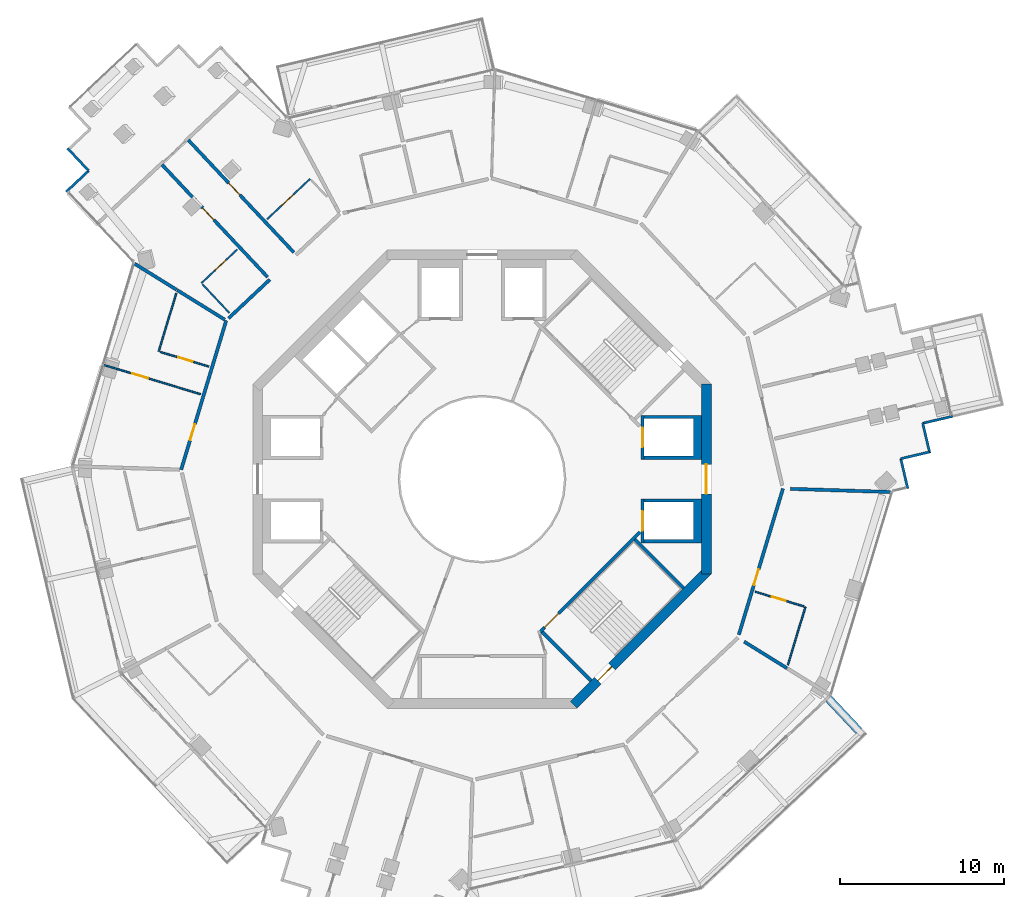
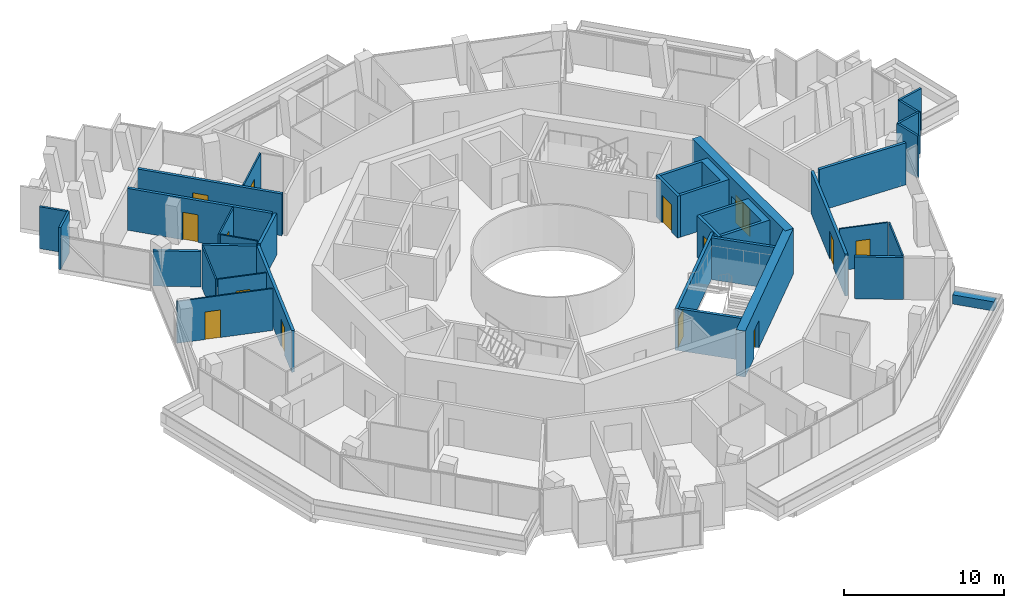
# One storey, part 18 of 24: 33 walls, 14 doors, 14 openings.
"""IFC4 building model written with IfcOpenShell, lengths in metres."""

from ifc_helpers import new_model, si_unit, direction, frame, frame_2d, origin, place, context, subcontext, project, spatial, polyline, rectangle, outline, extrude, material, layer, layer_set, type_object, element, fill, save


model = new_model("IFC4")

# Units and contexts
model_context = context("Model", 3, precision=1e-05, world=origin(), true_north=direction((0.0, 1.0)))
body_context = subcontext(model_context, "Body", "Model", "MODEL_VIEW")
ifc_project = project(units=[si_unit("LENGTHUNIT", "METRE"), si_unit("AREAUNIT", "SQUARE_METRE"), si_unit("VOLUMEUNIT", "CUBIC_METRE"), si_unit("PLANEANGLEUNIT", "RADIAN"), si_unit("MASSUNIT", "GRAM", prefix="KILO")], contexts=[model_context])

# Site, building, storey
site_placement = place(None, origin())
site = spatial("IfcSite", under=ifc_project, at=site_placement, CompositionType="ELEMENT")
building_placement = place(site_placement, origin())
building = spatial("IfcBuilding", under=site, at=building_placement, Name="Verdalira Terraces Hotel", CompositionType="ELEMENT")
storey_placement = place(building_placement, frame((0.0, 0.0, 209.0)))
storey = spatial("IfcBuildingStorey", under=building, at=storey_placement, Name="L51", CompositionType="ELEMENT", Elevation=209.0)

# Wall
ifc_material_1 = material(Name="Concrete C40", Category="concrete")
ifc_layer_1 = layer(ifc_material_1, 0.5)
ifc_layer_set_1 = layer_set([ifc_layer_1], Name="Balcony planter trough with tree")
wall_type_1 = type_object("IfcWallType", Name="Balcony planter trough with tree", PredefinedType="SOLIDWALL", material=ifc_layer_set_1)
wall_1_placement = place(storey_placement, frame((23.010254, -15.373291, 0.0), z_axis=(0.0, 0.0, 1.0), x_axis=(-0.684551685, 0.728964327, 0.0)))
element("IfcWall", 1, at=wall_1_placement, inside=storey, type_object=wall_type_1, Name="Balcony planter", PredefinedType="SOLIDWALL", context=body_context, shape_type="SweptSolid", body=[
    extrude(rectangle(XDim=2.698975, YDim=0.5, at=frame_2d((1.349609, 0.0))), origin(), (0.0, 0.0, 1.0), 0.699951),
])

# Wall, opening, door
ifc_material_2 = material(Name="Moisture-resistant gypsum board partition")
ifc_layer_2 = layer(ifc_material_2, 0.10009765625)
ifc_layer_set_2 = layer_set([ifc_layer_2], Name="Bathroom partition 100 mm")
wall_type_2 = type_object("IfcWallType", Name="Bathroom partition 100 mm", PredefinedType="PARTITIONING", material=ifc_layer_set_2)
wall_2_placement = place(storey_placement, frame((-23.079346, 6.968018, 0.0), z_axis=(0.0, 0.0, 1.0), x_axis=(0.957316727, -0.289040974, 0.0)))
wall_2 = element("IfcWall", 2, at=wall_2_placement, inside=storey, type_object=wall_type_2, Name="Bathroom partition", PredefinedType="PARTITIONING", context=body_context, shape_type="SweptSolid", body=[
    extrude(rectangle(XDim=6.149902, YDim=0.100098, at=frame_2d((3.074951, 0.0))), origin(), (0.0, 0.0, 1.0), 3.189941),
])
opening_1_placement = place(wall_2_placement, frame((1.800049, 0.0, 0.0)))
opening_1 = element("IfcOpeningElement", 3, at=opening_1_placement, cuts=wall_2, Name="Opening L51-106", PredefinedType="OPENING", context=body_context, shape_type="SweptSolid", body=[
    extrude(rectangle(XDim=1.0, YDim=2.100098, at=frame_2d((0.5, 1.050049))), frame((0.0, 0.060059, 0.0), z_axis=(0.0, -1.0, 0.0), x_axis=(1.0, 0.0, 0.0)), (0.0, 0.0, 1.0), 0.120117),
])
ifc_material_3 = material(Name="Timber door", Category="wood")
door_type_1 = type_object("IfcDoorType", Name="Suite internal door 1000 x 2100", OperationType="NOTDEFINED", PredefinedType="DOOR", material=ifc_material_3)
door_1_placement = place(opening_1_placement, origin())
door_1 = element("IfcDoor", 4, at=door_1_placement, inside=storey, type_object=door_type_1, Name="Suite internal door 5103", OperationType="SINGLE_SWING_LEFT", OverallHeight=2.10009765625, OverallWidth=1.0, PredefinedType="DOOR", context=body_context, shape_type="SweptSolid", body=[
    extrude(rectangle(XDim=1.0, YDim=2.100098, at=frame_2d((0.5, 1.050049))), frame((0.0, 0.024902, 0.0), z_axis=(0.0, -1.0, 0.0), x_axis=(1.0, 0.0, 0.0)), (0.0, 0.0, 1.0), 0.050049),
])
fill(opening_1, door_1)

# Wall
wall_3_placement = place(storey_placement, frame((-18.676514, 11.344482, 0.0), z_axis=(0.0, 0.0, 1.0), x_axis=(-0.289028527, -0.957320485, 0.0)))
element("IfcWall", 5, at=wall_3_placement, inside=storey, type_object=wall_type_2, Name="Bathroom partition", PredefinedType="PARTITIONING", context=body_context, shape_type="SweptSolid", body=[
    extrude(rectangle(XDim=3.704102, YDim=0.100098, at=frame_2d((1.852051, 0.0))), origin(), (0.0, 0.0, 1.0), 3.189941),
])

# Wall, opening, door
wall_4_placement = place(storey_placement, frame((-19.651367, 7.769775, 0.0), z_axis=(0.0, 0.0, 1.0), x_axis=(0.957321955, -0.289023657, 0.0)))
wall_4 = element("IfcWall", 6, at=wall_4_placement, inside=storey, type_object=wall_type_2, Name="Bathroom partition", PredefinedType="PARTITIONING", context=body_context, shape_type="SweptSolid", body=[
    extrude(rectangle(XDim=3.100098, YDim=0.100098, at=frame_2d((1.550049, 0.0))), origin(), (0.0, 0.0, 1.0), 3.189941),
])
opening_2_placement = place(wall_4_placement, frame((1.149902, 0.0, 0.0)))
opening_2 = element("IfcOpeningElement", 7, at=opening_2_placement, cuts=wall_4, Name="Opening L51-107", PredefinedType="OPENING", context=body_context, shape_type="SweptSolid", body=[
    extrude(rectangle(XDim=0.899902, YDim=2.100098, at=frame_2d((0.449951, 1.050049))), frame((0.0, 0.060059, 0.0), z_axis=(0.0, -1.0, 0.0), x_axis=(1.0, 0.0, 0.0)), (0.0, 0.0, 1.0), 0.120117),
])
ifc_material_4 = material(Name="Timber door", Category="wood")
door_type_2 = type_object("IfcDoorType", Name="Bathroom door 900 x 2100", OperationType="NOTDEFINED", PredefinedType="DOOR", material=ifc_material_4)
door_2_placement = place(opening_2_placement, origin())
door_2 = element("IfcDoor", 8, at=door_2_placement, inside=storey, type_object=door_type_2, Name="Bathroom door 5103", OperationType="SINGLE_SWING_LEFT", OverallHeight=2.10009765625, OverallWidth=0.89990234375, PredefinedType="DOOR", context=body_context, shape_type="SweptSolid", body=[
    extrude(rectangle(XDim=0.899902, YDim=2.100098, at=frame_2d((0.449951, 1.050049))), frame((0.0, 0.024902, 0.0), z_axis=(0.0, -1.0, 0.0), x_axis=(1.0, 0.0, 0.0)), (0.0, 0.0, 1.0), 0.050049),
])
fill(opening_2, door_2)

# Wall
wall_5_placement = place(storey_placement, frame((-15.427979, 10.147461, 0.0), z_axis=(0.0, 0.0, 1.0), x_axis=(-0.684529704, 0.728984969, 0.0)))
element("IfcWall", 9, at=wall_5_placement, inside=storey, type_object=wall_type_2, Name="Bathroom partition", PredefinedType="PARTITIONING", context=body_context, shape_type="SweptSolid", body=[
    extrude(rectangle(XDim=2.399902, YDim=0.100098, at=frame_2d((1.199951, 0.0))), origin(), (0.0, 0.0, 1.0), 3.189941),
])

# Wall, opening, door
wall_6_placement = place(storey_placement, frame((-14.952393, 14.023682, 0.0), z_axis=(0.0, 0.0, 1.0), x_axis=(-0.728973579, -0.684541833, 0.0)))
wall_6 = element("IfcWall", 10, at=wall_6_placement, inside=storey, type_object=wall_type_2, Name="Bathroom partition", PredefinedType="PARTITIONING", context=body_context, shape_type="SweptSolid", body=[
    extrude(rectangle(XDim=3.000244, YDim=0.100098, at=frame_2d((1.5, 0.0))), origin(), (0.0, 0.0, 1.0), 3.189941),
])
opening_3_placement = place(wall_6_placement, frame((0.949951, 0.0, 0.0)))
opening_3 = element("IfcOpeningElement", 11, at=opening_3_placement, cuts=wall_6, Name="Opening L51-104", PredefinedType="OPENING", context=body_context, shape_type="SweptSolid", body=[
    extrude(rectangle(XDim=0.899902, YDim=2.100098, at=frame_2d((0.449951, 1.050049))), frame((0.0, 0.060059, 0.0), z_axis=(0.0, -1.0, 0.0), x_axis=(1.0, 0.0, 0.0)), (0.0, 0.0, 1.0), 0.120117),
])
door_3_placement = place(opening_3_placement, origin())
door_3 = element("IfcDoor", 12, at=door_3_placement, inside=storey, type_object=door_type_2, Name="Bathroom door 5102", OperationType="SINGLE_SWING_RIGHT", OverallHeight=2.10009765625, OverallWidth=0.89990234375, PredefinedType="DOOR", context=body_context, shape_type="SweptSolid", body=[
    extrude(rectangle(XDim=0.899902, YDim=2.100098, at=frame_2d((0.449951, 1.050049))), frame((0.0, 0.024902, 0.0), z_axis=(0.0, -1.0, 0.0), x_axis=(1.0, 0.0, 0.0)), (0.0, 0.0, 1.0), 0.050049),
])
fill(opening_3, door_3)

wall_7_placement = place(storey_placement, frame((-10.501221, 18.34082, 0.0), z_axis=(0.0, 0.0, 1.0), x_axis=(-0.728934207, -0.684583758, 0.0)))
wall_7 = element("IfcWall", 13, at=wall_7_placement, inside=storey, type_object=wall_type_2, Name="Bathroom partition", PredefinedType="PARTITIONING", context=body_context, shape_type="SweptSolid", body=[
    extrude(rectangle(XDim=3.600098, YDim=0.100098, at=frame_2d((1.800049, 0.0))), origin(), (0.0, 0.0, 1.0), 3.189941),
])
opening_4_placement = place(wall_7_placement, frame((1.399902, 0.0, 0.0)))
opening_4 = element("IfcOpeningElement", 14, at=opening_4_placement, cuts=wall_7, Name="Opening L51-102", PredefinedType="OPENING", context=body_context, shape_type="SweptSolid", body=[
    extrude(rectangle(XDim=1.0, YDim=2.100098, at=frame_2d((0.5, 1.050049))), frame((0.0, 0.060059, 0.0), z_axis=(0.0, -1.0, 0.0), x_axis=(1.0, 0.0, 0.0)), (0.0, 0.0, 1.0), 0.120117),
])
ifc_material_5 = material(Name="Timber door", Category="wood")
door_type_3 = type_object("IfcDoorType", Name="Bathroom door 1000 x 2100", OperationType="NOTDEFINED", PredefinedType="DOOR", material=ifc_material_5)
door_4_placement = place(opening_4_placement, origin())
door_4 = element("IfcDoor", 15, at=door_4_placement, inside=storey, type_object=door_type_3, Name="Bathroom door 5101", OperationType="SINGLE_SWING_LEFT", OverallHeight=2.10009765625, OverallWidth=1.0, PredefinedType="DOOR", context=body_context, shape_type="SweptSolid", body=[
    extrude(rectangle(XDim=1.0, YDim=2.100098, at=frame_2d((0.5, 1.050049))), frame((0.0, 0.024902, 0.0), z_axis=(0.0, -1.0, 0.0), x_axis=(1.0, 0.0, 0.0)), (0.0, 0.0, 1.0), 0.050049),
])
fill(opening_4, door_4)

wall_8_placement = place(storey_placement, frame((19.651367, -7.769775, 0.0), z_axis=(0.0, 0.0, 1.0), x_axis=(-0.957321955, 0.289023657, 0.0)))
wall_8 = element("IfcWall", 16, at=wall_8_placement, inside=storey, type_object=wall_type_2, Name="Bathroom partition", PredefinedType="PARTITIONING", context=body_context, shape_type="SweptSolid", body=[
    extrude(rectangle(XDim=3.100098, YDim=0.100098, at=frame_2d((1.550049, 0.0))), origin(), (0.0, 0.0, 1.0), 3.189941),
])
opening_5_placement = place(wall_8_placement, frame((1.149902, 0.0, 0.0)))
opening_5 = element("IfcOpeningElement", 17, at=opening_5_placement, cuts=wall_8, Name="Opening L51-122", PredefinedType="OPENING", context=body_context, shape_type="SweptSolid", body=[
    extrude(rectangle(XDim=0.899902, YDim=2.100098, at=frame_2d((0.449951, 1.050049))), frame((0.0, 0.060059, 0.0), z_axis=(0.0, -1.0, 0.0), x_axis=(1.0, 0.0, 0.0)), (0.0, 0.0, 1.0), 0.120117),
])
door_5_placement = place(opening_5_placement, origin())
door_5 = element("IfcDoor", 18, at=door_5_placement, inside=storey, type_object=door_type_2, Name="Bathroom door 5109", OperationType="SINGLE_SWING_LEFT", OverallHeight=2.10009765625, OverallWidth=0.89990234375, PredefinedType="DOOR", context=body_context, shape_type="SweptSolid", body=[
    extrude(rectangle(XDim=0.899902, YDim=2.100098, at=frame_2d((0.449951, 1.050049))), frame((0.0, 0.024902, 0.0), z_axis=(0.0, -1.0, 0.0), x_axis=(1.0, 0.0, 0.0)), (0.0, 0.0, 1.0), 0.050049),
])
fill(opening_5, door_5)

# Walls
wall_9_placement = place(storey_placement, frame((19.74707, -7.798584, 0.0), z_axis=(0.0, 0.0, 1.0), x_axis=(-0.289028527, -0.957320485, 0.0)))
element("IfcWall", 19, at=wall_9_placement, inside=storey, type_object=wall_type_2, Name="Bathroom partition", PredefinedType="PARTITIONING", context=body_context, shape_type="SweptSolid", body=[
    extrude(rectangle(XDim=3.704102, YDim=0.100098, at=frame_2d((1.852051, 0.0))), origin(), (0.0, 0.0, 1.0), 3.189941),
])
ifc_material_6 = material(Name="Concrete C50", Category="concrete")
ifc_layer_3 = layer(ifc_material_6, 0.199951171875)
ifc_layer_set_3 = layer_set([ifc_layer_3], Name="Core RC wall 200 C50")
wall_type_3 = type_object("IfcWallType", Name="Core RC wall 200 C50", PredefinedType="SOLIDWALL", material=ifc_layer_set_3)
wall_10_placement = place(storey_placement, origin())
element("IfcWall", 20, at=wall_10_placement, inside=storey, type_object=wall_type_3, Name="L51 shaft wall E1", PredefinedType="SOLIDWALL", context=body_context, shape_type="SweptSolid", body=[
    extrude(outline(polyline([(13.399902, -3.899902), (9.899902, -3.899902), (9.899902, -3.699951), (12.899902, -3.699951), (12.899902, -1.399902), (9.899902, -1.399902), (9.899902, -1.199951), (13.399902, -1.199951), (13.399902, -3.899902)])), origin(), (0.0, 0.0, 1.0), 3.189941),
])

# Wall, opening, door
wall_11_placement = place(storey_placement, frame((9.800049, -1.199951, 0.0), z_axis=(0.0, 0.0, 1.0), x_axis=(0.0, -1.0, 0.0)))
wall_11 = element("IfcWall", 21, at=wall_11_placement, inside=storey, type_object=wall_type_3, Name="L51 shaft front wall E1", PredefinedType="SOLIDWALL", context=body_context, shape_type="SweptSolid", body=[
    extrude(rectangle(XDim=2.699951, YDim=0.199951, at=frame_2d((1.350098, 0.0))), origin(), (0.0, 0.0, 1.0), 3.189941),
])
opening_6_placement = place(wall_11_placement, frame((0.75, 0.0, 0.0)))
opening_6 = element("IfcOpeningElement", 22, at=opening_6_placement, cuts=wall_11, Name="Opening LD-L51-802", PredefinedType="OPENING", context=body_context, shape_type="SweptSolid", body=[
    extrude(rectangle(XDim=1.199951, YDim=2.100098, at=frame_2d((0.600098, 1.050049))), frame((0.0, 0.109863, 0.0), z_axis=(0.0, -1.0, 0.0), x_axis=(1.0, 0.0, 0.0)), (0.0, 0.0, 1.0), 0.219971),
])
ifc_material_7 = material(Name="Stainless steel", Category="steel")
door_type_4 = type_object("IfcDoorType", Name="Landing door 1200 x 2100", OperationType="NOTDEFINED", PredefinedType="DOOR", material=ifc_material_7)
door_6_placement = place(opening_6_placement, origin())
door_6 = element("IfcDoor", 23, at=door_6_placement, inside=storey, type_object=door_type_4, Name="Lift landing door HR1 L51", OperationType="DOUBLE_DOOR_SLIDING", OverallHeight=2.10009765625, OverallWidth=1.199951171875, PredefinedType="DOOR", context=body_context, shape_type="SweptSolid", body=[
    extrude(rectangle(XDim=1.199951, YDim=2.100098, at=frame_2d((0.600098, 1.050049))), frame((0.0, 0.024902, 0.0), z_axis=(0.0, -1.0, 0.0), x_axis=(1.0, 0.0, 0.0)), (0.0, 0.0, 1.0), 0.050049),
])
fill(opening_6, door_6)

# Wall
wall_12_placement = place(storey_placement, origin())
element("IfcWall", 24, at=wall_12_placement, inside=storey, type_object=wall_type_3, Name="L51 shaft wall E2", PredefinedType="SOLIDWALL", context=body_context, shape_type="SweptSolid", body=[
    extrude(outline(polyline([(13.399902, 3.899902), (13.399902, 1.199951), (9.899902, 1.199951), (9.899902, 1.399902), (12.899902, 1.399902), (12.899902, 3.699951), (9.899902, 3.699951), (9.899902, 3.899902), (13.399902, 3.899902)])), origin(), (0.0, 0.0, 1.0), 3.189941),
])

# Wall, opening, door
wall_13_placement = place(storey_placement, frame((9.800049, 1.199951, 0.0), z_axis=(0.0, 0.0, 1.0), x_axis=(0.0, 1.0, 0.0)))
wall_13 = element("IfcWall", 25, at=wall_13_placement, inside=storey, type_object=wall_type_3, Name="L51 shaft front wall E2", PredefinedType="SOLIDWALL", context=body_context, shape_type="SweptSolid", body=[
    extrude(rectangle(XDim=2.699951, YDim=0.199951, at=frame_2d((1.350098, 0.0))), origin(), (0.0, 0.0, 1.0), 3.189941),
])
opening_7_placement = place(wall_13_placement, frame((0.75, 0.0, 0.0)))
opening_7 = element("IfcOpeningElement", 26, at=opening_7_placement, cuts=wall_13, Name="Opening LD-L51-803", PredefinedType="OPENING", context=body_context, shape_type="SweptSolid", body=[
    extrude(rectangle(XDim=1.199951, YDim=2.100098, at=frame_2d((0.600098, 1.050049))), frame((0.0, 0.109863, 0.0), z_axis=(0.0, -1.0, 0.0), x_axis=(1.0, 0.0, 0.0)), (0.0, 0.0, 1.0), 0.219971),
])
door_7_placement = place(opening_7_placement, origin())
door_7 = element("IfcDoor", 27, at=door_7_placement, inside=storey, type_object=door_type_4, Name="Lift landing door HR2 L51", OperationType="DOUBLE_DOOR_SLIDING", OverallHeight=2.10009765625, OverallWidth=1.199951171875, PredefinedType="DOOR", context=body_context, shape_type="SweptSolid", body=[
    extrude(rectangle(XDim=1.199951, YDim=2.100098, at=frame_2d((0.600098, 1.050049))), frame((0.0, 0.024902, 0.0), z_axis=(0.0, -1.0, 0.0), x_axis=(1.0, 0.0, 0.0)), (0.0, 0.0, 1.0), 0.050049),
])
fill(opening_7, door_7)

wall_14_placement = place(storey_placement, frame((9.629395, -3.23999, 0.0), z_axis=(0.0, 0.0, 1.0), x_axis=(-0.707120946, -0.707092617, 0.0)))
wall_14 = element("IfcWall", 28, at=wall_14_placement, inside=storey, type_object=wall_type_3, Name="L51 stair ST3 front wall", PredefinedType="SOLIDWALL", context=body_context, shape_type="SweptSolid", body=[
    extrude(rectangle(XDim=8.61792, YDim=0.199951, at=frame_2d((4.309082, 0.0))), origin(), (0.0, 0.0, 1.0), 3.189941),
])
opening_8_placement = place(wall_14_placement, frame((7.017822, 0.0, 0.0)))
opening_8 = element("IfcOpeningElement", 29, at=opening_8_placement, cuts=wall_14, Name="Opening L51-812", PredefinedType="OPENING", context=body_context, shape_type="SweptSolid", body=[
    extrude(rectangle(XDim=1.199951, YDim=2.100098, at=frame_2d((0.600098, 1.050049))), frame((0.0, 0.109863, 0.0), z_axis=(0.0, -1.0, 0.0), x_axis=(1.0, 0.0, 0.0)), (0.0, 0.0, 1.0), 0.219971),
])
ifc_material_8 = material(Name="Steel fire door", Category="steel")
door_type_5 = type_object("IfcDoorType", Name="Stair door 1200 x 2100", OperationType="NOTDEFINED", PredefinedType="DOOR", material=ifc_material_8)
door_8_placement = place(opening_8_placement, origin())
door_8 = element("IfcDoor", 30, at=door_8_placement, inside=storey, type_object=door_type_5, Name="Stair door ST3 L51", OperationType="SINGLE_SWING_RIGHT", OverallHeight=2.10009765625, OverallWidth=1.199951171875, PredefinedType="DOOR", context=body_context, shape_type="SweptSolid", body=[
    extrude(rectangle(XDim=1.199951, YDim=2.100098, at=frame_2d((0.600098, 1.050049))), frame((0.0, 0.024902, 0.0), z_axis=(0.0, -1.0, 0.0), x_axis=(1.0, 0.0, 0.0)), (0.0, 0.0, 1.0), 0.050049),
])
fill(opening_8, door_8)

# Walls
for number, where, z_axis, x_axis, name in (
    (31, (3.677002, -9.33374, 0.0), (0.0, 0.0, 1.0), (0.707077716, -0.707135845, 0.0), "L51 stair ST3 end wall 1"),
    (32, (9.33374, -3.677002, 0.0), (0.0, 0.0, 1.0), (0.707135845, -0.707077716, 0.0), "L51 stair ST3 end wall 2"),
):
    element("IfcWall", number, at=place(storey_placement, frame(where, z_axis=z_axis, x_axis=x_axis)), inside=storey, type_object=wall_type_3, Name=name, PredefinedType="SOLIDWALL", context=body_context, shape_type="SweptSolid", body=[
        extrude(rectangle(XDim=4.199951, YDim=0.199951, at=frame_2d((2.100098, 0.0))), origin(), (0.0, 0.0, 1.0), 3.189941),
    ])

# Wall, opening, door
ifc_material_9 = material(Name="Concrete C60", Category="concrete")
ifc_layer_4 = layer(ifc_material_9, 0.60009765625)
ifc_layer_set_4 = layer_set([ifc_layer_4], Name="Core wall 600 C60")
wall_type_4 = type_object("IfcWallType", Name="Core wall 600 C60", PredefinedType="SHEAR", material=ifc_layer_set_4)
wall_15_placement = place(storey_placement, frame((13.699951, -5.799072, 0.0), z_axis=(0.0, 0.0, 1.0), x_axis=(0.0, 1.0, 0.0)))
wall_15 = element("IfcWall", 33, at=wall_15_placement, inside=storey, type_object=wall_type_4, Name="Core wall CW-L51-1", PredefinedType="SHEAR", context=body_context, shape_type="SweptSolid", body=[
    extrude(rectangle(XDim=11.598145, YDim=0.600098, at=frame_2d((5.799072, 0.0))), origin(), (0.0, 0.0, 1.0), 3.5),
])
opening_9_placement = place(wall_15_placement, frame((4.898926, 0.0, 0.0)))
opening_9 = element("IfcOpeningElement", 34, at=opening_9_placement, cuts=wall_15, Name="Opening L51-813", PredefinedType="OPENING", context=body_context, shape_type="SweptSolid", body=[
    extrude(rectangle(XDim=1.800049, YDim=2.100098, at=frame_2d((0.899902, 1.050049))), frame((0.0, 0.310059, 0.0), z_axis=(0.0, -1.0, 0.0), x_axis=(1.0, 0.0, 0.0)), (0.0, 0.0, 1.0), 0.620117),
])
ifc_material_10 = material(Name="Steel fire door", Category="steel")
door_type_6 = type_object("IfcDoorType", Name="Core entry door pair 1800 x 2100", OperationType="NOTDEFINED", PredefinedType="DOOR", material=ifc_material_10)
door_9_placement = place(opening_9_placement, origin())
door_9 = element("IfcDoor", 35, at=door_9_placement, inside=storey, type_object=door_type_6, Name="Core entry door L51 0", OperationType="DOUBLE_DOOR_SINGLE_SWING", OverallHeight=2.10009765625, OverallWidth=1.800048828125, PredefinedType="DOOR", context=body_context, shape_type="SweptSolid", body=[
    extrude(rectangle(XDim=1.800049, YDim=2.100098, at=frame_2d((0.899902, 1.050049))), frame((0.0, 0.024902, 0.0), z_axis=(0.0, -1.0, 0.0), x_axis=(1.0, 0.0, 0.0)), (0.0, 0.0, 1.0), 0.050049),
])
fill(opening_9, door_9)

wall_16_placement = place(storey_placement, frame((5.586914, -13.787842, 0.0), z_axis=(0.0, 0.0, 1.0), x_axis=(0.707106781, 0.707106781, 0.0)))
wall_16 = element("IfcWall", 36, at=wall_16_placement, inside=storey, type_object=wall_type_4, Name="Core wall CW-L51-8", PredefinedType="SHEAR", context=body_context, shape_type="SweptSolid", body=[
    extrude(rectangle(XDim=11.5979, YDim=0.600098, at=frame_2d((5.798828, 0.0))), origin(), (0.0, 0.0, 1.0), 3.5),
])
opening_10_placement = place(wall_16_placement, frame((2.099121, 0.0, 0.0)))
opening_10 = element("IfcOpeningElement", 37, at=opening_10_placement, cuts=wall_16, Name="Opening L51-818", PredefinedType="OPENING", context=body_context, shape_type="SweptSolid", body=[
    extrude(rectangle(XDim=1.199951, YDim=2.100098, at=frame_2d((0.600098, 1.050049))), frame((0.0, 0.310059, 0.0), z_axis=(0.0, -1.0, 0.0), x_axis=(1.0, 0.0, 0.0)), (0.0, 0.0, 1.0), 0.620117),
])
door_10_placement = place(opening_10_placement, origin())
door_10 = element("IfcDoor", 38, at=door_10_placement, inside=storey, type_object=door_type_5, Name="Stair exit door ST3 L51", OperationType="SINGLE_SWING_LEFT", OverallHeight=2.10009765625, OverallWidth=1.199951171875, PredefinedType="DOOR", context=body_context, shape_type="SweptSolid", body=[
    extrude(rectangle(XDim=1.199951, YDim=2.100098, at=frame_2d((0.600098, 1.050049))), frame((0.0, 0.024902, 0.0), z_axis=(0.0, -1.0, 0.0), x_axis=(1.0, 0.0, 0.0)), (0.0, 0.0, 1.0), 0.050049),
])
fill(opening_10, door_10)

# Walls
ifc_material_11 = material(Name="Fire-rated gypsum board wall")
ifc_layer_5 = layer(ifc_material_11, 0.199951171875)
ifc_layer_set_5 = layer_set([ifc_layer_5], Name="Demising wall 200 mm")
wall_type_5 = type_object("IfcWallType", Name="Demising wall 200 mm", PredefinedType="SOLIDWALL", material=ifc_layer_set_5)
wall_17_placement = place(storey_placement, frame((-15.713135, 9.742432, 0.0), z_axis=(0.0, 0.0, 1.0), x_axis=(-0.849870706, 0.526991255, 0.0)))
element("IfcWall", 39, at=wall_17_placement, inside=storey, type_object=wall_type_5, Name="Demising wall", PredefinedType="SOLIDWALL", context=body_context, shape_type="SweptSolid", body=[
    extrude(rectangle(XDim=3.418457, YDim=0.199951, at=frame_2d((1.709229, 0.0))), origin(), (0.0, 0.0, 1.0), 3.189941),
])
wall_18_placement = place(storey_placement, frame((16.005127, -9.923584, 0.0), z_axis=(0.0, 0.0, 1.0), x_axis=(0.849884201, -0.526969492, 0.0)))
element("IfcWall", 40, at=wall_18_placement, inside=storey, type_object=wall_type_5, Name="Demising wall", PredefinedType="SOLIDWALL", context=body_context, shape_type="SweptSolid", body=[
    extrude(rectangle(XDim=3.074951, YDim=0.199951, at=frame_2d((1.537598, 0.0))), origin(), (0.0, 0.0, 1.0), 3.189941),
])
wall_19_placement = place(storey_placement, frame((24.951904, -0.78418, 0.0), z_axis=(0.0, 0.0, 1.0), x_axis=(-0.999506506, 0.031412493, 0.0)))
element("IfcWall", 41, at=wall_19_placement, inside=storey, type_object=wall_type_5, Name="Demising wall", PredefinedType="SOLIDWALL", context=body_context, shape_type="SweptSolid", body=[
    extrude(rectangle(XDim=6.13208, YDim=0.199951, at=frame_2d((3.065918, 0.0))), origin(), (0.0, 0.0, 1.0), 3.189941),
])
ifc_material_12 = material(Name="Fire-rated gypsum board wall")
ifc_layer_6 = layer(ifc_material_12, 0.199951171875)
ifc_layer_set_6 = layer_set([ifc_layer_6], Name="Demising wall 200 mm to beam soffit")
wall_type_6 = type_object("IfcWallType", Name="Demising wall 200 mm to beam soffit", PredefinedType="SOLIDWALL", material=ifc_layer_set_6)
wall_20_placement = place(storey_placement, frame((-18.657471, 11.568115, 0.0), z_axis=(0.0, 0.0, 1.0), x_axis=(-0.849883085, 0.526971292, 0.0)))
element("IfcWall", 42, at=wall_20_placement, inside=storey, type_object=wall_type_6, Name="Demising wall", PredefinedType="SOLIDWALL", context=body_context, shape_type="SweptSolid", body=[
    extrude(rectangle(XDim=3.011475, YDim=0.199951, at=frame_2d((1.505859, 0.0))), origin(), (0.0, 0.0, 1.0), 2.689941),
])

# Wall, opening, door
ifc_material_13 = material(Name="Fire-rated gypsum board wall")
ifc_layer_7 = layer(ifc_material_13, 0.199951171875)
ifc_layer_set_7 = layer_set([ifc_layer_7], Name="Guest corridor wall 200 mm")
wall_type_7 = type_object("IfcWallType", Name="Guest corridor wall 200 mm", PredefinedType="SOLIDWALL", material=ifc_layer_set_7)
wall_21_placement = place(storey_placement, frame((-18.375732, 0.577393, 0.0), z_axis=(0.0, 0.0, 1.0), x_axis=(0.289039636, 0.957317131, 0.0)))
wall_21 = element("IfcWall", 43, at=wall_21_placement, inside=storey, type_object=wall_type_7, Name="Guest corridor wall", PredefinedType="SOLIDWALL", context=body_context, shape_type="SweptSolid", body=[
    extrude(rectangle(XDim=9.516846, YDim=0.199951, at=frame_2d((4.758301, 0.0))), origin(), (0.0, 0.0, 1.0), 3.189941),
])
opening_11_placement = place(wall_21_placement, frame((1.899902, 0.0, 0.0)))
opening_11 = element("IfcOpeningElement", 44, at=opening_11_placement, cuts=wall_21, Name="Opening L51-105", PredefinedType="OPENING", context=body_context, shape_type="SweptSolid", body=[
    extrude(rectangle(XDim=1.0, YDim=2.100098, at=frame_2d((0.5, 1.050049))), frame((0.0, 0.109863, 0.0), z_axis=(0.0, -1.0, 0.0), x_axis=(1.0, 0.0, 0.0)), (0.0, 0.0, 1.0), 0.219971),
])
ifc_material_14 = material(Name="Timber fire door", Category="wood")
door_type_7 = type_object("IfcDoorType", Name="Guest entry door 1000 x 2100", OperationType="NOTDEFINED", PredefinedType="DOOR", material=ifc_material_14)
door_11_placement = place(opening_11_placement, origin())
door_11 = element("IfcDoor", 45, at=door_11_placement, inside=storey, type_object=door_type_7, Name="Guest entry door 5103", OperationType="SINGLE_SWING_LEFT", OverallHeight=2.10009765625, OverallWidth=1.0, PredefinedType="DOOR", context=body_context, shape_type="SweptSolid", body=[
    extrude(rectangle(XDim=1.0, YDim=2.100098, at=frame_2d((0.5, 1.050049))), frame((0.0, 0.024902, 0.0), z_axis=(0.0, -1.0, 0.0), x_axis=(1.0, 0.0, 0.0)), (0.0, 0.0, 1.0), 0.050049),
])
fill(opening_11, door_11)

wall_22_placement = place(storey_placement, frame((-13.095215, 12.338135, 0.0), z_axis=(0.0, 0.0, 1.0), x_axis=(-0.684548137, 0.728967659, 0.0)))
wall_22 = element("IfcWall", 46, at=wall_22_placement, inside=storey, type_object=wall_type_7, Name="Guest corridor wall", PredefinedType="SOLIDWALL", context=body_context, shape_type="SweptSolid", body=[
    extrude(rectangle(XDim=9.415039, YDim=0.199951, at=frame_2d((4.70752, 0.0))), origin(), (0.0, 0.0, 1.0), 3.189941),
])
opening_12_placement = place(wall_22_placement, frame((4.800049, 0.0, 0.0)))
opening_12 = element("IfcOpeningElement", 47, at=opening_12_placement, cuts=wall_22, Name="Opening L51-103", PredefinedType="OPENING", context=body_context, shape_type="SweptSolid", body=[
    extrude(rectangle(XDim=1.0, YDim=2.100098, at=frame_2d((0.5, 1.050049))), frame((0.0, 0.109863, 0.0), z_axis=(0.0, -1.0, 0.0), x_axis=(1.0, 0.0, 0.0)), (0.0, 0.0, 1.0), 0.219971),
])
door_12_placement = place(opening_12_placement, origin())
door_12 = element("IfcDoor", 48, at=door_12_placement, inside=storey, type_object=door_type_7, Name="Guest entry door 5102", OperationType="SINGLE_SWING_RIGHT", OverallHeight=2.10009765625, OverallWidth=1.0, PredefinedType="DOOR", context=body_context, shape_type="SweptSolid", body=[
    extrude(rectangle(XDim=1.0, YDim=2.100098, at=frame_2d((0.5, 1.050049))), frame((0.0, 0.024902, 0.0), z_axis=(0.0, -1.0, 0.0), x_axis=(1.0, 0.0, 0.0)), (0.0, 0.0, 1.0), 0.050049),
])
fill(opening_12, door_12)

wall_23_placement = place(storey_placement, frame((-17.936768, 20.70752, 0.0), z_axis=(0.0, 0.0, 1.0), x_axis=(0.684548977, -0.728966871, 0.0)))
wall_23 = element("IfcWall", 49, at=wall_23_placement, inside=storey, type_object=wall_type_7, Name="Guest corridor wall", PredefinedType="SOLIDWALL", context=body_context, shape_type="SweptSolid", body=[
    extrude(rectangle(XDim=9.415527, YDim=0.199951, at=frame_2d((4.707764, 0.0))), origin(), (0.0, 0.0, 1.0), 3.189941),
])
opening_13_placement = place(wall_23_placement, frame((3.600098, 0.0, 0.0)))
opening_13 = element("IfcOpeningElement", 50, at=opening_13_placement, cuts=wall_23, Name="Opening L51-101", PredefinedType="OPENING", context=body_context, shape_type="SweptSolid", body=[
    extrude(rectangle(XDim=1.0, YDim=2.100098, at=frame_2d((0.5, 1.050049))), frame((0.0, 0.109863, 0.0), z_axis=(0.0, -1.0, 0.0), x_axis=(1.0, 0.0, 0.0)), (0.0, 0.0, 1.0), 0.219971),
])
door_13_placement = place(opening_13_placement, origin())
door_13 = element("IfcDoor", 51, at=door_13_placement, inside=storey, type_object=door_type_7, Name="Guest entry door 5101", OperationType="SINGLE_SWING_LEFT", OverallHeight=2.10009765625, OverallWidth=1.0, PredefinedType="DOOR", context=body_context, shape_type="SweptSolid", body=[
    extrude(rectangle(XDim=1.0, YDim=2.100098, at=frame_2d((0.5, 1.050049))), frame((0.0, 0.024902, 0.0), z_axis=(0.0, -1.0, 0.0), x_axis=(1.0, 0.0, 0.0)), (0.0, 0.0, 1.0), 0.050049),
])
fill(opening_13, door_13)

# Wall
wall_24_placement = place(storey_placement, frame((-12.958252, 12.192383, 0.0), z_axis=(0.0, 0.0, 1.0), x_axis=(-0.728960153, -0.68455613, 0.0)))
element("IfcWall", 52, at=wall_24_placement, inside=storey, type_object=wall_type_7, Name="Guest corridor wall", PredefinedType="SOLIDWALL", context=body_context, shape_type="SweptSolid", body=[
    extrude(rectangle(XDim=3.458252, YDim=0.199951, at=frame_2d((1.729004, 0.0))), origin(), (0.0, 0.0, 1.0), 3.189941),
])

# Wall, opening, door
wall_25_placement = place(storey_placement, frame((18.375732, -0.577393, 0.0), z_axis=(0.0, 0.0, 1.0), x_axis=(-0.289032685, -0.957319229, 0.0)))
wall_25 = element("IfcWall", 53, at=wall_25_placement, inside=storey, type_object=wall_type_7, Name="Guest corridor wall", PredefinedType="SOLIDWALL", context=body_context, shape_type="SweptSolid", body=[
    extrude(rectangle(XDim=9.316895, YDim=0.199951, at=frame_2d((4.658447, 0.0))), origin(), (0.0, 0.0, 1.0), 3.189941),
])
opening_14_placement = place(wall_25_placement, frame((5.149902, 0.0, 0.0)))
opening_14 = element("IfcOpeningElement", 54, at=opening_14_placement, cuts=wall_25, Name="Opening L51-121", PredefinedType="OPENING", context=body_context, shape_type="SweptSolid", body=[
    extrude(rectangle(XDim=1.0, YDim=2.100098, at=frame_2d((0.5, 1.050049))), frame((0.0, 0.109863, 0.0), z_axis=(0.0, -1.0, 0.0), x_axis=(1.0, 0.0, 0.0)), (0.0, 0.0, 1.0), 0.219971),
])
door_14_placement = place(opening_14_placement, origin())
door_14 = element("IfcDoor", 55, at=door_14_placement, inside=storey, type_object=door_type_7, Name="Guest entry door 5109", OperationType="SINGLE_SWING_LEFT", OverallHeight=2.10009765625, OverallWidth=1.0, PredefinedType="DOOR", context=body_context, shape_type="SweptSolid", body=[
    extrude(rectangle(XDim=1.0, YDim=2.100098, at=frame_2d((0.5, 1.050049))), frame((0.0, 0.024902, 0.0), z_axis=(0.0, -1.0, 0.0), x_axis=(1.0, 0.0, 0.0)), (0.0, 0.0, 1.0), 0.050049),
])
fill(opening_14, door_14)

# Walls
ifc_material_15 = material(Name="Terracotta cladding", Category="masonry")
ifc_layer_8 = layer(ifc_material_15, 0.14990234375)
ifc_layer_set_8 = layer_set([ifc_layer_8], Name="Terracotta clad wall 150")
wall_type_8 = type_object("IfcWallType", Name="Terracotta clad wall 150", PredefinedType="SOLIDWALL", material=ifc_layer_set_8)
for number, where, z_axis, x_axis, name in (
    (56, (-25.313721, 20.199951, 0.0), (0.0, 0.0, 1.0), (0.68455597, -0.728960304, 0.0), "Terracotta cladding wall"),
    (57, (-24.030273, 18.833252, 0.0), (0.0, 0.0, 1.0), (-0.728960304, -0.68455597, 0.0), "Terracotta cladding wall"),
):
    element("IfcWall", number, at=place(storey_placement, frame(where, z_axis=z_axis, x_axis=x_axis)), inside=storey, type_object=wall_type_8, Name=name, PredefinedType="SOLIDWALL", context=body_context, shape_type="SweptSolid", body=[
        extrude(rectangle(XDim=1.874756, YDim=0.149902, at=frame_2d((0.9375, 0.0))), origin(), (0.0, 0.0, 1.0), 3.189941),
    ])
wall_26_placement = place(storey_placement, frame((26.002197, -0.577637, 0.0), z_axis=(0.0, 0.0, 1.0), x_axis=(-0.228386104, 0.973570638, 0.0)))
element("IfcWall", 58, at=wall_26_placement, inside=storey, type_object=wall_type_8, Name="Terracotta cladding wall", PredefinedType="SOLIDWALL", context=body_context, shape_type="SweptSolid", body=[
    extrude(rectangle(XDim=1.875, YDim=0.149902, at=frame_2d((0.9375, 0.0))), origin(), (0.0, 0.0, 1.0), 3.189941),
])
wall_27_placement = place(storey_placement, frame((25.573975, 1.247803, 0.0), z_axis=(0.0, 0.0, 1.0), x_axis=(0.973566379, 0.22840426, 0.0)))
element("IfcWall", 59, at=wall_27_placement, inside=storey, type_object=wall_type_8, Name="Terracotta cladding wall", PredefinedType="SOLIDWALL", context=body_context, shape_type="SweptSolid", body=[
    extrude(rectangle(XDim=1.800049, YDim=0.149902, at=frame_2d((0.899902, 0.0))), origin(), (0.0, 0.0, 1.0), 3.189941),
])
for number, where, z_axis, x_axis, name in (
    (60, (27.34375, 1.585938, 0.0), (0.0, 0.0, 1.0), (-0.228386104, 0.973570638, 0.0), "Terracotta cladding wall"),
    (61, (26.915527, 3.411377, 0.0), (0.0, 0.0, 1.0), (0.973599583, 0.228262681, 0.0), "Terracotta cladding wall"),
):
    element("IfcWall", number, at=place(storey_placement, frame(where, z_axis=z_axis, x_axis=x_axis)), inside=storey, type_object=wall_type_8, Name=name, PredefinedType="SOLIDWALL", context=body_context, shape_type="SweptSolid", body=[
        extrude(rectangle(XDim=1.875, YDim=0.149902, at=frame_2d((0.9375, 0.0))), origin(), (0.0, 0.0, 1.0), 3.189941),
    ])

save(model, "model.ifc")
